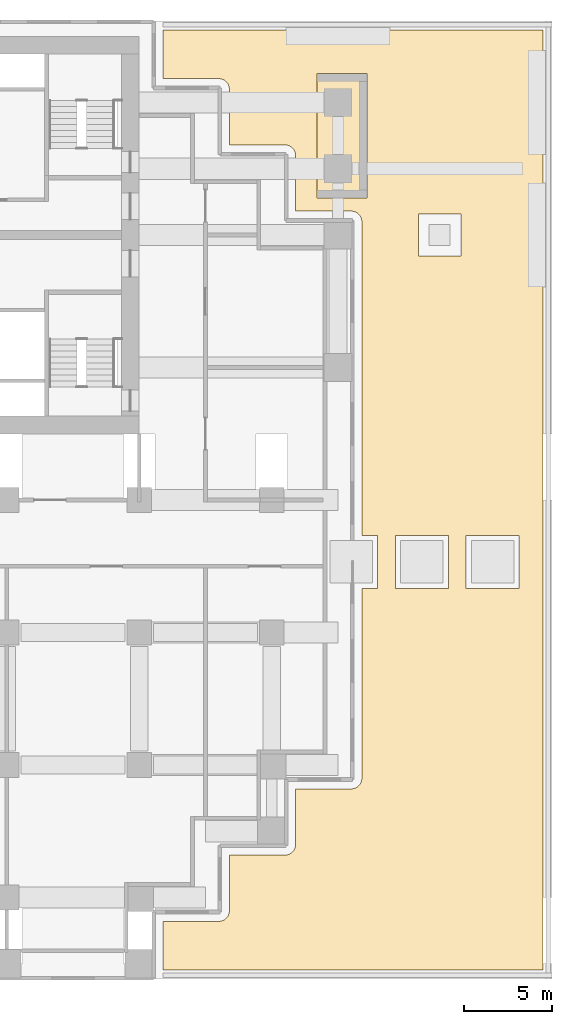
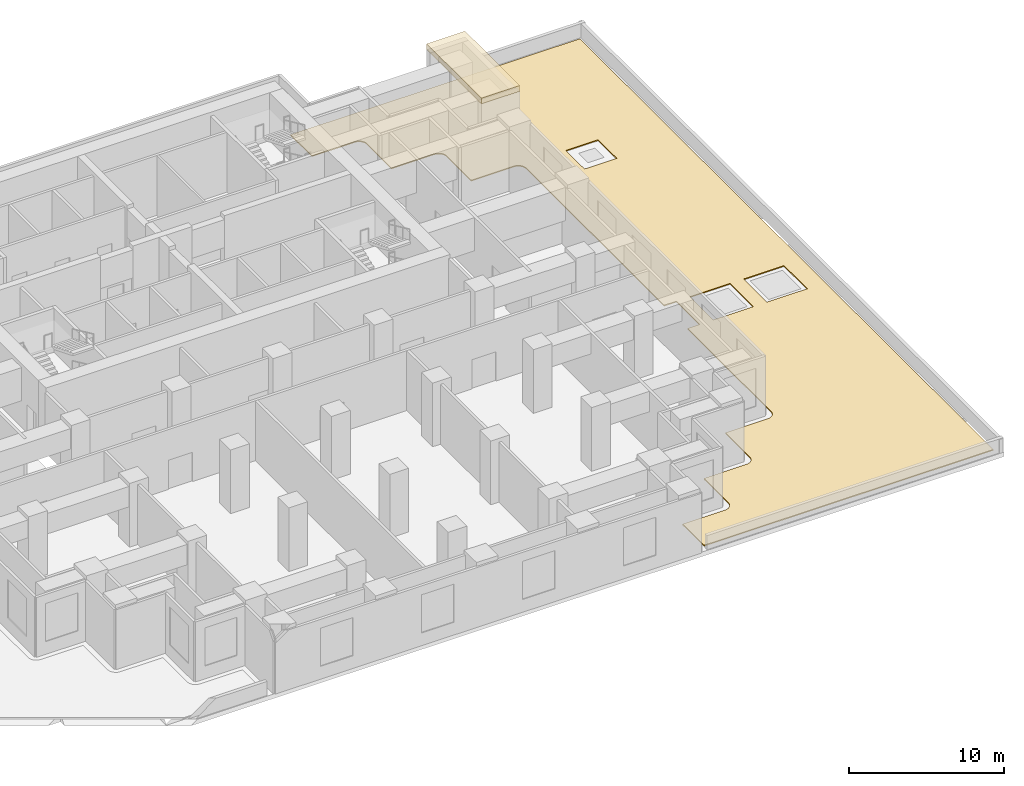
# One storey, part 9 of 9: 2 coverings.
"""IFC4 building model written with IfcOpenShell, lengths in metres."""

from ifc_helpers import new_model, si_unit, direction, frame, origin, place, context, subcontext, project, spatial, polyline, outline, extrude, material, layer, layer_set, type_object, element, save


model = new_model("IFC4")

# Units and contexts
model_context = context("Model", 3, precision=1e-05, world=origin(), true_north=direction((0.0, 1.0)))
body_context = subcontext(model_context, "Body", "Model", "MODEL_VIEW")
ifc_project = project(units=[si_unit("LENGTHUNIT", "METRE"), si_unit("AREAUNIT", "SQUARE_METRE"), si_unit("VOLUMEUNIT", "CUBIC_METRE"), si_unit("PLANEANGLEUNIT", "RADIAN"), si_unit("MASSUNIT", "GRAM", prefix="KILO")], contexts=[model_context])

# Site, building, storey
site_placement = place(None, origin())
site = spatial("IfcSite", under=ifc_project, at=site_placement, CompositionType="ELEMENT")
building_placement = place(site_placement, origin())
building = spatial("IfcBuilding", under=site, at=building_placement, Name="Pilkhan Gate Tower", CompositionType="ELEMENT")
storey_placement = place(building_placement, frame((0.0, 0.0, 30.0)))
storey = spatial("IfcBuildingStorey", under=building, at=storey_placement, Name="L04", CompositionType="ELEMENT", Elevation=30.0)

# Coverings
ifc_material_1 = material(Name="Board-marked Concrete C40/50", Category="concrete")
ifc_layer_1 = layer(ifc_material_1, 0.449951171875)
ifc_layer_set_1 = layer_set([ifc_layer_1], Name="Roof pylon cap SC450")
covering_type_1 = type_object("IfcCoveringType", Name="Roof pylon cap SC450", PredefinedType="CLADDING", material=ifc_layer_set_1)
covering_1_placement = place(storey_placement, frame((0.0, 0.0, 5.199951171875)))
element("IfcCovering", 1, at=covering_1_placement, inside=storey, type_object=covering_type_1, Name="Roof pylon cap east wing", PredefinedType="CLADDING", context=body_context, shape_type="SweptSolid", body=[
    extrude(outline(polyline([(100.050048828125, 84.60009765625), (102.89990234375, 84.60009765625), (102.89990234375, 91.64990234375), (100.050048828125, 91.64990234375), (100.050048828125, 84.60009765625)])), origin(), (0.0, 0.0, 1.0), 0.449951171875),
])
ifc_material_2 = material(Name="Bituminous roofing membrane on rigid insulation")
ifc_layer_2 = layer(ifc_material_2, 0.080078125)
ifc_layer_set_2 = layer_set([ifc_layer_2], Name="Roofing membrane RM80")
covering_type_2 = type_object("IfcCoveringType", Name="Roofing membrane RM80", PredefinedType="ROOFING", material=ifc_layer_set_2)
covering_2_placement = place(storey_placement, origin())
element("IfcCovering", 2, at=covering_2_placement, inside=storey, type_object=covering_type_2, Name="Roofing podium 2", PredefinedType="ROOFING", context=body_context, shape_type="SweptSolid", body=[
    extrude(outline(polyline([(112.85009765625, 40.89990234375), (91.35009765625, 40.89990234375), (91.35009765625, 43.64990234375), (94.5, 43.64990234375), (94.558837890625, 43.65283203125), (94.616943359375, 43.66162109375), (94.674072265625, 43.67578125), (94.7294921875, 43.695556640625), (94.782958984375, 43.720947265625), (94.833251953125, 43.751220703125), (94.880615234375, 43.7861328125), (94.92431640625, 43.82568359375), (94.9638671875, 43.869384765625), (94.998779296875, 43.916748046875), (95.029052734375, 43.967041015625), (95.054443359375, 44.0205078125), (95.07421875, 44.075927734375), (95.08837890625, 44.133056640625), (95.09716796875, 44.191162109375), (95.10009765625, 44.25), (95.10009765625, 47.39990234375), (98.25, 47.39990234375), (98.308837890625, 47.40283203125), (98.366943359375, 47.41162109375), (98.424072265625, 47.42578125), (98.4794921875, 47.445556640625), (98.532958984375, 47.470947265625), (98.583251953125, 47.501220703125), (98.630615234375, 47.5361328125), (98.67431640625, 47.57568359375), (98.7138671875, 47.619384765625), (98.748779296875, 47.666748046875), (98.779052734375, 47.717041015625), (98.804443359375, 47.7705078125), (98.82421875, 47.825927734375), (98.83837890625, 47.883056640625), (98.84716796875, 47.941162109375), (98.85009765625, 48.0), (98.85009765625, 51.14990234375), (102.0, 51.14990234375), (102.058837890625, 51.15283203125), (102.116943359375, 51.16162109375), (102.174072265625, 51.17578125), (102.2294921875, 51.195556640625), (102.282958984375, 51.220947265625), (102.333251953125, 51.251220703125), (102.380615234375, 51.2861328125), (102.42431640625, 51.32568359375), (102.4638671875, 51.369384765625), (102.498779296875, 51.416748046875), (102.529052734375, 51.467041015625), (102.554443359375, 51.5205078125), (102.57421875, 51.575927734375), (102.58837890625, 51.633056640625), (102.59716796875, 51.691162109375), (102.60009765625, 51.75), (102.60009765625, 62.5), (103.5, 62.5), (103.5, 65.5), (102.60009765625, 65.5), (102.60009765625, 83.25), (102.59716796875, 83.308837890625), (102.58837890625, 83.366943359375), (102.57421875, 83.424072265625), (102.554443359375, 83.4794921875), (102.529052734375, 83.532958984375), (102.498779296875, 83.583251953125), (102.4638671875, 83.630615234375), (102.42431640625, 83.67431640625), (102.380615234375, 83.7138671875), (102.333251953125, 83.748779296875), (102.282958984375, 83.779052734375), (102.2294921875, 83.804443359375), (102.174072265625, 83.82421875), (102.116943359375, 83.83837890625), (102.058837890625, 83.84716796875), (102.0, 83.85009765625), (98.85009765625, 83.85009765625), (98.85009765625, 87.0), (98.84716796875, 87.058837890625), (98.83837890625, 87.116943359375), (98.82421875, 87.174072265625), (98.804443359375, 87.2294921875), (98.779052734375, 87.282958984375), (98.748779296875, 87.333251953125), (98.7138671875, 87.380615234375), (98.67431640625, 87.42431640625), (98.630615234375, 87.4638671875), (98.583251953125, 87.498779296875), (98.532958984375, 87.529052734375), (98.4794921875, 87.554443359375), (98.424072265625, 87.57421875), (98.366943359375, 87.58837890625), (98.308837890625, 87.59716796875), (98.25, 87.60009765625), (95.10009765625, 87.60009765625), (95.10009765625, 90.75), (95.09716796875, 90.808837890625), (95.08837890625, 90.866943359375), (95.07421875, 90.924072265625), (95.054443359375, 90.9794921875), (95.029052734375, 91.032958984375), (94.998779296875, 91.083251953125), (94.9638671875, 91.130615234375), (94.92431640625, 91.17431640625), (94.880615234375, 91.2138671875), (94.833251953125, 91.248779296875), (94.782958984375, 91.279052734375), (94.7294921875, 91.304443359375), (94.674072265625, 91.32421875), (94.616943359375, 91.33837890625), (94.558837890625, 91.34716796875), (94.5, 91.35009765625), (91.35009765625, 91.35009765625), (91.35009765625, 94.10009765625), (112.85009765625, 94.10009765625), (112.85009765625, 40.89990234375)]), holes=[polyline([(104.5, 65.5), (104.5, 62.5), (107.5, 62.5), (107.5, 65.5), (104.5, 65.5)]), polyline([(108.5, 65.5), (108.5, 62.5), (111.5, 62.5), (111.5, 65.5), (108.5, 65.5)]), polyline([(105.800048828125, 83.699951171875), (105.800048828125, 81.300048828125), (108.199951171875, 81.300048828125), (108.199951171875, 83.699951171875), (105.800048828125, 83.699951171875)])]), origin(), (0.0, 0.0, 1.0), 0.080078125),
])

save(model, "model.ifc")
